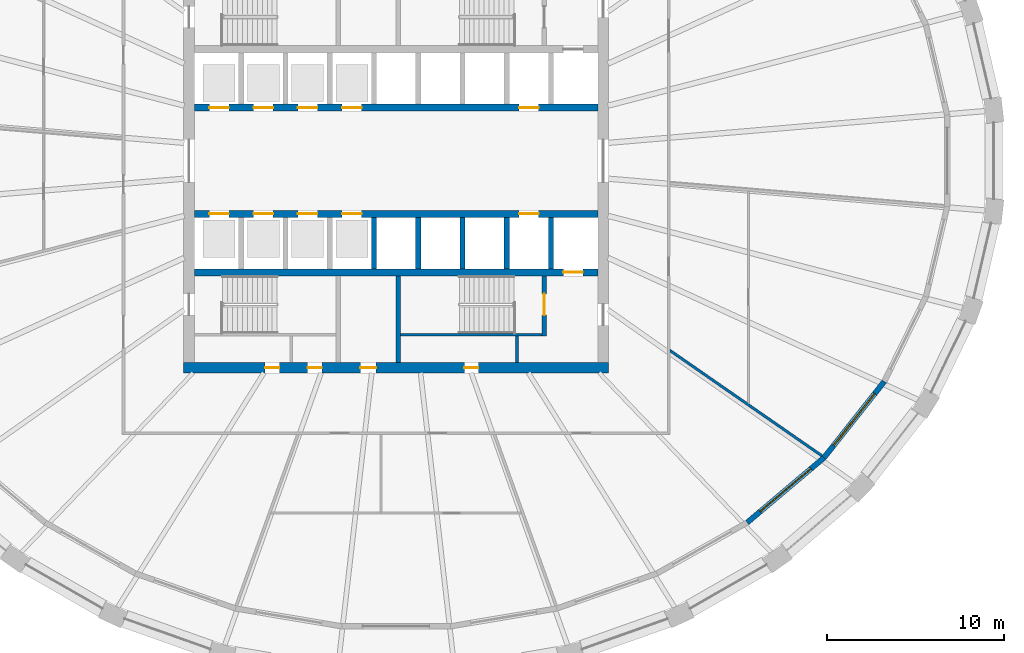
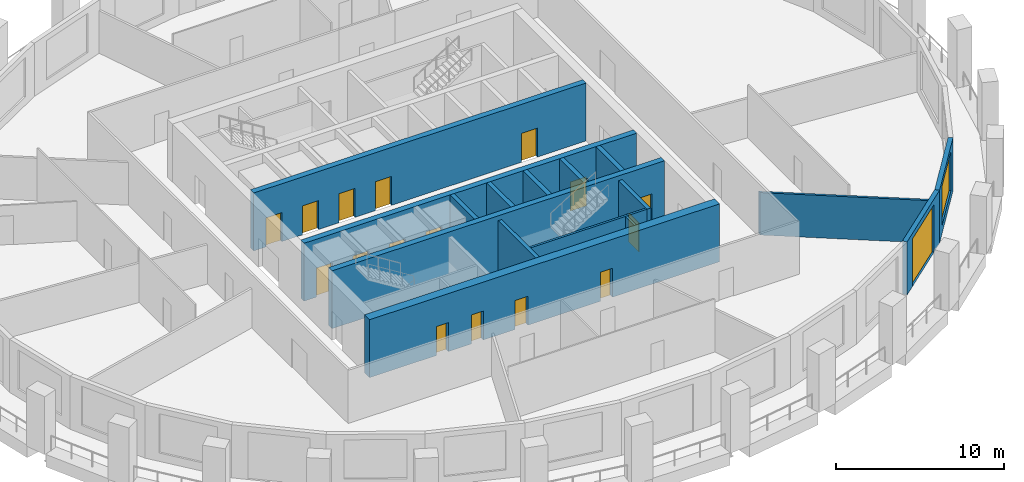
# One storey, part 4 of 10: 17 doors, 16 walls, 1 window, 18 openings.
"""IFC4 building model written with IfcOpenShell, lengths in metres."""

from ifc_helpers import new_model, si_unit, direction, frame, frame_2d, origin, place, context, subcontext, project, spatial, polyline, rectangle, outline, extrude, material, layer, layer_set, type_object, element, fill, save


model = new_model("IFC4")

# Units and contexts
model_context = context("Model", 3, precision=1e-05, world=origin(), true_north=direction((0.0, 1.0)))
body_context = subcontext(model_context, "Body", "Model", "MODEL_VIEW")
ifc_project = project(units=[si_unit("LENGTHUNIT", "METRE"), si_unit("AREAUNIT", "SQUARE_METRE"), si_unit("VOLUMEUNIT", "CUBIC_METRE"), si_unit("PLANEANGLEUNIT", "RADIAN"), si_unit("MASSUNIT", "GRAM", prefix="KILO")], contexts=[model_context])

# Site, building, storey
site_placement = place(None, origin())
site = spatial("IfcSite", under=ifc_project, at=site_placement, CompositionType="ELEMENT")
building_placement = place(site_placement, origin())
building = spatial("IfcBuilding", under=site, at=building_placement, Name="Halqa Exchange Tower", CompositionType="ELEMENT")
storey_placement = place(building_placement, frame((0.0, 0.0, 163.300048828125)))
storey = spatial("IfcBuildingStorey", under=building, at=storey_placement, Name="L37", CompositionType="ELEMENT", Elevation=163.300048828125)

# Walls
ifc_material_1 = material(Name="Fire-rated gypsum board")
ifc_layer_1 = layer(ifc_material_1, 0.14990234375)
ifc_layer_set_1 = layer_set([ifc_layer_1], Name="Fire-rated gypsum board")
wall_type_1 = type_object("IfcWallType", Name="Fire partition EI 60 150", PredefinedType="PARTITIONING", material=ifc_layer_set_1)
wall_1_placement = place(storey_placement, frame((15.4326171875, -10.6923828125, 0.0), z_axis=(0.0, 0.0, 1.0), x_axis=(0.821818585553, -0.569749254006, 0.0)))
element("IfcWall", 1, at=wall_1_placement, inside=storey, type_object=wall_type_1, Name="L37-PWL-023", PredefinedType="PARTITIONING", context=body_context, shape_type="SweptSolid", body=[
    extrude(outline(polyline([(0.103515625, -0.074951171875), (1.83154296875, -0.074951171875), (3.5595703125, -0.074951171875), (5.28759765625, -0.074951171875), (7.015625, -0.074951171875), (8.743896484375, -0.074951171875), (10.471923828125, -0.074951171875), (10.49267578125, 0.002197265625), (10.4970703125, 0.071533203125), (10.4970703125, 0.074951171875), (8.773193359375, 0.074951171875), (7.04931640625, 0.074951171875), (5.325439453125, 0.074951171875), (5.323974609375, 0.07373046875), (5.3232421875, 0.074951171875), (3.548828125, 0.074951171875), (1.7744140625, 0.074951171875), (0.0, 0.074951171875), (0.0, 0.074462890625), (0.103515625, -0.074951171875)])), origin(), (0.0, 0.0, 1.0), 3.079833984375),
])
ifc_material_2 = material(Name="Gypsum board")
ifc_layer_2 = layer(ifc_material_2, 0.14990234375)
ifc_layer_set_2 = layer_set([ifc_layer_2], Name="Gypsum board")
wall_type_2 = type_object("IfcWallType", Name="Penthouse riser wall 150 gypsum", PredefinedType="PARTITIONING", material=ifc_layer_set_2)
wall_2_placement = place(storey_placement, frame((6.824951171875, -11.39990234375, 0.0), z_axis=(0.0, 0.0, 1.0), x_axis=(0.0, 1.0, 0.0)))
element("IfcWall", 2, at=wall_2_placement, inside=storey, type_object=wall_type_2, Name="Firefighting lobby west wall S", PredefinedType="PARTITIONING", context=body_context, shape_type="SweptSolid", body=[
    extrude(rectangle(XDim=1.5, YDim=0.14990234375, at=frame_2d((0.75, 0.0))), origin(), (0.0, 0.0, 1.0), 3.849853515625),
])
ifc_material_3 = material(Name="Concrete C60/75", Category="concrete")
ifc_layer_3 = layer(ifc_material_3, 0.300048828125)
ifc_layer_set_3 = layer_set([ifc_layer_3], Name="Concrete C60/75")
wall_type_3 = type_object("IfcWallType", Name="RC core wall 300", PredefinedType="SHEAR", material=ifc_layer_set_3)
for number, where, z_axis, x_axis, name in (
    (3, (-1.25, -6.10009765625, 0.0), (0.0, 0.0, 1.0), (0.0, 1.0, 0.0), "Shaft divider S4"),
    (4, (1.25, -6.10009765625, 0.0), (0.0, 0.0, 1.0), (0.0, 1.0, 0.0), "Shaft divider S5"),
    (5, (3.75, -6.10009765625, 0.0), (0.0, 0.0, 1.0), (0.0, 1.0, 0.0), "Shaft divider S6"),
    (6, (6.25, -6.10009765625, 0.0), (0.0, 0.0, 1.0), (0.0, 1.0, 0.0), "Shaft divider S7"),
    (7, (8.75, -6.10009765625, 0.0), (0.0, 0.0, 1.0), (0.0, 1.0, 0.0), "Shaft divider S8"),
):
    element("IfcWall", number, at=place(storey_placement, frame(where, z_axis=z_axis, x_axis=x_axis)), inside=storey, type_object=wall_type_3, Name=name, PredefinedType="SHEAR", context=body_context, shape_type="SweptSolid", body=[
        extrude(rectangle(XDim=2.900146484375, YDim=0.300048828125, at=frame_2d((1.4501953125, 0.0))), origin(), (0.0, 0.0, 1.0), 4.199951171875),
    ])

# Wall, openings, doors
ifc_material_4 = material(Name="Concrete C70/85", Category="concrete")
ifc_layer_4 = layer(ifc_material_4, 0.39990234375)
ifc_layer_set_4 = layer_set([ifc_layer_4], Name="Concrete C70/85")
wall_type_4 = type_object("IfcWallType", Name="RC core wall 400 C70/85", PredefinedType="SHEAR", material=ifc_layer_set_4)
wall_3_placement = place(storey_placement, frame((-11.39990234375, 3.0, 0.0), z_axis=(0.0, 0.0, 1.0), x_axis=(1.0, 0.0, 0.0)))
wall_3 = element("IfcWall", 8, at=wall_3_placement, inside=storey, type_object=wall_type_4, Name="Lift row front wall N", PredefinedType="SHEAR", context=body_context, shape_type="SweptSolid", body=[
    extrude(rectangle(XDim=22.7998046875, YDim=0.39990234375, at=frame_2d((11.39990234375, 0.0))), origin(), (0.0, 0.0, 1.0), 4.199951171875),
])
opening_1_placement = place(wall_3_placement, frame((0.85009765625, 0.0, 0.0)))
opening_1 = element("IfcOpeningElement", 9, at=opening_1_placement, cuts=wall_3, Name="Opening LD-LR1-T11", PredefinedType="OPENING", context=body_context, shape_type="SweptSolid", body=[
    extrude(rectangle(XDim=1.10009765625, YDim=2.10009765625, at=frame_2d((0.550048828125, 1.050048828125))), frame((0.0, 0.2119140625, 0.0), z_axis=(0.0, -1.0, 0.0), x_axis=(1.0, 0.0, 0.0)), (0.0, 0.0, 1.0), 0.423828125),
])
opening_2_placement = place(wall_3_placement, frame((3.35009765625, 0.0, 0.0)))
opening_2 = element("IfcOpeningElement", 10, at=opening_2_placement, cuts=wall_3, Name="Opening LD-LR2-T11", PredefinedType="OPENING", context=body_context, shape_type="SweptSolid", body=[
    extrude(rectangle(XDim=1.10009765625, YDim=2.10009765625, at=frame_2d((0.550048828125, 1.050048828125))), frame((0.0, 0.2119140625, 0.0), z_axis=(0.0, -1.0, 0.0), x_axis=(1.0, 0.0, 0.0)), (0.0, 0.0, 1.0), 0.423828125),
])
opening_3_placement = place(wall_3_placement, frame((5.85009765625, 0.0, 0.0)))
opening_3 = element("IfcOpeningElement", 11, at=opening_3_placement, cuts=wall_3, Name="Opening LD-LR3-T11", PredefinedType="OPENING", context=body_context, shape_type="SweptSolid", body=[
    extrude(rectangle(XDim=1.10009765625, YDim=2.10009765625, at=frame_2d((0.550048828125, 1.050048828125))), frame((0.0, 0.2119140625, 0.0), z_axis=(0.0, -1.0, 0.0), x_axis=(1.0, 0.0, 0.0)), (0.0, 0.0, 1.0), 0.423828125),
])
opening_4_placement = place(wall_3_placement, frame((8.35009765625, 0.0, 0.0)))
opening_4 = element("IfcOpeningElement", 12, at=opening_4_placement, cuts=wall_3, Name="Opening LD-LR4-T11", PredefinedType="OPENING", context=body_context, shape_type="SweptSolid", body=[
    extrude(rectangle(XDim=1.10009765625, YDim=2.10009765625, at=frame_2d((0.550048828125, 1.050048828125))), frame((0.0, 0.2119140625, 0.0), z_axis=(0.0, -1.0, 0.0), x_axis=(1.0, 0.0, 0.0)), (0.0, 0.0, 1.0), 0.423828125),
])
opening_5_placement = place(wall_3_placement, frame((18.35009765625, 0.0, 0.0)))
opening_5 = element("IfcOpeningElement", 13, at=opening_5_placement, cuts=wall_3, Name="Opening LD-SV1-T11", PredefinedType="OPENING", context=body_context, shape_type="SweptSolid", body=[
    extrude(rectangle(XDim=1.10009765625, YDim=2.10009765625, at=frame_2d((0.550048828125, 1.050048828125))), frame((0.0, 0.2119140625, 0.0), z_axis=(0.0, -1.0, 0.0), x_axis=(1.0, 0.0, 0.0)), (0.0, 0.0, 1.0), 0.423828125),
])
ifc_material_5 = material(Name="Stainless steel", Category="steel")
door_type_1 = type_object("IfcDoorType", Name="Lift landing door 1100 x 2100", OperationType="SLIDING_TO_LEFT", PredefinedType="DOOR", material=ifc_material_5)
door_1_placement = place(opening_1_placement, origin())
door_1 = element("IfcDoor", 14, at=door_1_placement, inside=storey, type_object=door_type_1, Name="Lift landing door LR1", OperationType="SLIDING_TO_LEFT", OverallHeight=2.10009765625, OverallWidth=1.10009765625, PredefinedType="DOOR", context=body_context, shape_type="SweptSolid", body=[
    extrude(rectangle(XDim=1.10009765625, YDim=2.10009765625, at=frame_2d((0.550048828125, 1.050048828125))), frame((0.0, 0.02490234375, 0.0), z_axis=(0.0, -1.0, 0.0), x_axis=(1.0, 0.0, 0.0)), (0.0, 0.0, 1.0), 0.050048828125),
])
fill(opening_1, door_1)
door_2_placement = place(opening_2_placement, origin())
door_2 = element("IfcDoor", 15, at=door_2_placement, inside=storey, type_object=door_type_1, Name="Lift landing door LR2", OperationType="SLIDING_TO_LEFT", OverallHeight=2.10009765625, OverallWidth=1.10009765625, PredefinedType="DOOR", context=body_context, shape_type="SweptSolid", body=[
    extrude(rectangle(XDim=1.10009765625, YDim=2.10009765625, at=frame_2d((0.550048828125, 1.050048828125))), frame((0.0, 0.02490234375, 0.0), z_axis=(0.0, -1.0, 0.0), x_axis=(1.0, 0.0, 0.0)), (0.0, 0.0, 1.0), 0.050048828125),
])
fill(opening_2, door_2)
door_3_placement = place(opening_3_placement, origin())
door_3 = element("IfcDoor", 16, at=door_3_placement, inside=storey, type_object=door_type_1, Name="Lift landing door LR3", OperationType="SLIDING_TO_LEFT", OverallHeight=2.10009765625, OverallWidth=1.10009765625, PredefinedType="DOOR", context=body_context, shape_type="SweptSolid", body=[
    extrude(rectangle(XDim=1.10009765625, YDim=2.10009765625, at=frame_2d((0.550048828125, 1.050048828125))), frame((0.0, 0.02490234375, 0.0), z_axis=(0.0, -1.0, 0.0), x_axis=(1.0, 0.0, 0.0)), (0.0, 0.0, 1.0), 0.050048828125),
])
fill(opening_3, door_3)
door_4_placement = place(opening_4_placement, origin())
door_4 = element("IfcDoor", 17, at=door_4_placement, inside=storey, type_object=door_type_1, Name="Lift landing door LR4", OperationType="SLIDING_TO_LEFT", OverallHeight=2.10009765625, OverallWidth=1.10009765625, PredefinedType="DOOR", context=body_context, shape_type="SweptSolid", body=[
    extrude(rectangle(XDim=1.10009765625, YDim=2.10009765625, at=frame_2d((0.550048828125, 1.050048828125))), frame((0.0, 0.02490234375, 0.0), z_axis=(0.0, -1.0, 0.0), x_axis=(1.0, 0.0, 0.0)), (0.0, 0.0, 1.0), 0.050048828125),
])
fill(opening_4, door_4)
door_5_placement = place(opening_5_placement, origin())
door_5 = element("IfcDoor", 18, at=door_5_placement, inside=storey, type_object=door_type_1, Name="Lift landing door SV1", OperationType="SLIDING_TO_LEFT", OverallHeight=2.10009765625, OverallWidth=1.10009765625, PredefinedType="DOOR", context=body_context, shape_type="SweptSolid", body=[
    extrude(rectangle(XDim=1.10009765625, YDim=2.10009765625, at=frame_2d((0.550048828125, 1.050048828125))), frame((0.0, 0.02490234375, 0.0), z_axis=(0.0, -1.0, 0.0), x_axis=(1.0, 0.0, 0.0)), (0.0, 0.0, 1.0), 0.050048828125),
])
fill(opening_5, door_5)

wall_4_placement = place(storey_placement, frame((-11.39990234375, -3.0, 0.0), z_axis=(0.0, 0.0, 1.0), x_axis=(1.0, 0.0, 0.0)))
wall_4 = element("IfcWall", 19, at=wall_4_placement, inside=storey, type_object=wall_type_4, Name="Lift row front wall S", PredefinedType="SHEAR", context=body_context, shape_type="SweptSolid", body=[
    extrude(rectangle(XDim=22.7998046875, YDim=0.39990234375, at=frame_2d((11.39990234375, 0.0))), origin(), (0.0, 0.0, 1.0), 4.199951171875),
])
opening_6_placement = place(wall_4_placement, frame((0.85009765625, 0.0, 0.0)))
opening_6 = element("IfcOpeningElement", 20, at=opening_6_placement, cuts=wall_4, Name="Opening LD-LR5-T11", PredefinedType="OPENING", context=body_context, shape_type="SweptSolid", body=[
    extrude(rectangle(XDim=1.10009765625, YDim=2.10009765625, at=frame_2d((0.550048828125, 1.050048828125))), frame((0.0, 0.2119140625, 0.0), z_axis=(0.0, -1.0, 0.0), x_axis=(1.0, 0.0, 0.0)), (0.0, 0.0, 1.0), 0.423828125),
])
opening_7_placement = place(wall_4_placement, frame((3.35009765625, 0.0, 0.0)))
opening_7 = element("IfcOpeningElement", 21, at=opening_7_placement, cuts=wall_4, Name="Opening LD-LR6-T11", PredefinedType="OPENING", context=body_context, shape_type="SweptSolid", body=[
    extrude(rectangle(XDim=1.10009765625, YDim=2.10009765625, at=frame_2d((0.550048828125, 1.050048828125))), frame((0.0, 0.2119140625, 0.0), z_axis=(0.0, -1.0, 0.0), x_axis=(1.0, 0.0, 0.0)), (0.0, 0.0, 1.0), 0.423828125),
])
opening_8_placement = place(wall_4_placement, frame((5.85009765625, 0.0, 0.0)))
opening_8 = element("IfcOpeningElement", 22, at=opening_8_placement, cuts=wall_4, Name="Opening LD-LR7-T11", PredefinedType="OPENING", context=body_context, shape_type="SweptSolid", body=[
    extrude(rectangle(XDim=1.10009765625, YDim=2.10009765625, at=frame_2d((0.550048828125, 1.050048828125))), frame((0.0, 0.2119140625, 0.0), z_axis=(0.0, -1.0, 0.0), x_axis=(1.0, 0.0, 0.0)), (0.0, 0.0, 1.0), 0.423828125),
])
opening_9_placement = place(wall_4_placement, frame((8.35009765625, 0.0, 0.0)))
opening_9 = element("IfcOpeningElement", 23, at=opening_9_placement, cuts=wall_4, Name="Opening LD-LR8-T11", PredefinedType="OPENING", context=body_context, shape_type="SweptSolid", body=[
    extrude(rectangle(XDim=1.10009765625, YDim=2.10009765625, at=frame_2d((0.550048828125, 1.050048828125))), frame((0.0, 0.2119140625, 0.0), z_axis=(0.0, -1.0, 0.0), x_axis=(1.0, 0.0, 0.0)), (0.0, 0.0, 1.0), 0.423828125),
])
opening_10_placement = place(wall_4_placement, frame((18.35009765625, 0.0, 0.0)))
opening_10 = element("IfcOpeningElement", 24, at=opening_10_placement, cuts=wall_4, Name="Opening LD-SV2-T11", PredefinedType="OPENING", context=body_context, shape_type="SweptSolid", body=[
    extrude(rectangle(XDim=1.10009765625, YDim=2.10009765625, at=frame_2d((0.550048828125, 1.050048828125))), frame((0.0, 0.2119140625, 0.0), z_axis=(0.0, -1.0, 0.0), x_axis=(1.0, 0.0, 0.0)), (0.0, 0.0, 1.0), 0.423828125),
])
door_6_placement = place(opening_6_placement, origin())
door_6 = element("IfcDoor", 25, at=door_6_placement, inside=storey, type_object=door_type_1, Name="Lift landing door LR5", OperationType="SLIDING_TO_LEFT", OverallHeight=2.10009765625, OverallWidth=1.10009765625, PredefinedType="DOOR", context=body_context, shape_type="SweptSolid", body=[
    extrude(rectangle(XDim=1.10009765625, YDim=2.10009765625, at=frame_2d((0.550048828125, 1.050048828125))), frame((0.0, 0.02490234375, 0.0), z_axis=(0.0, -1.0, 0.0), x_axis=(1.0, 0.0, 0.0)), (0.0, 0.0, 1.0), 0.050048828125),
])
fill(opening_6, door_6)
door_7_placement = place(opening_7_placement, origin())
door_7 = element("IfcDoor", 26, at=door_7_placement, inside=storey, type_object=door_type_1, Name="Lift landing door LR6", OperationType="SLIDING_TO_LEFT", OverallHeight=2.10009765625, OverallWidth=1.10009765625, PredefinedType="DOOR", context=body_context, shape_type="SweptSolid", body=[
    extrude(rectangle(XDim=1.10009765625, YDim=2.10009765625, at=frame_2d((0.550048828125, 1.050048828125))), frame((0.0, 0.02490234375, 0.0), z_axis=(0.0, -1.0, 0.0), x_axis=(1.0, 0.0, 0.0)), (0.0, 0.0, 1.0), 0.050048828125),
])
fill(opening_7, door_7)
door_8_placement = place(opening_8_placement, origin())
door_8 = element("IfcDoor", 27, at=door_8_placement, inside=storey, type_object=door_type_1, Name="Lift landing door LR7", OperationType="SLIDING_TO_LEFT", OverallHeight=2.10009765625, OverallWidth=1.10009765625, PredefinedType="DOOR", context=body_context, shape_type="SweptSolid", body=[
    extrude(rectangle(XDim=1.10009765625, YDim=2.10009765625, at=frame_2d((0.550048828125, 1.050048828125))), frame((0.0, 0.02490234375, 0.0), z_axis=(0.0, -1.0, 0.0), x_axis=(1.0, 0.0, 0.0)), (0.0, 0.0, 1.0), 0.050048828125),
])
fill(opening_8, door_8)
door_9_placement = place(opening_9_placement, origin())
door_9 = element("IfcDoor", 28, at=door_9_placement, inside=storey, type_object=door_type_1, Name="Lift landing door LR8", OperationType="SLIDING_TO_LEFT", OverallHeight=2.10009765625, OverallWidth=1.10009765625, PredefinedType="DOOR", context=body_context, shape_type="SweptSolid", body=[
    extrude(rectangle(XDim=1.10009765625, YDim=2.10009765625, at=frame_2d((0.550048828125, 1.050048828125))), frame((0.0, 0.02490234375, 0.0), z_axis=(0.0, -1.0, 0.0), x_axis=(1.0, 0.0, 0.0)), (0.0, 0.0, 1.0), 0.050048828125),
])
fill(opening_9, door_9)
door_10_placement = place(opening_10_placement, origin())
door_10 = element("IfcDoor", 29, at=door_10_placement, inside=storey, type_object=door_type_1, Name="Lift landing door SV2", OperationType="SLIDING_TO_LEFT", OverallHeight=2.10009765625, OverallWidth=1.10009765625, PredefinedType="DOOR", context=body_context, shape_type="SweptSolid", body=[
    extrude(rectangle(XDim=1.10009765625, YDim=2.10009765625, at=frame_2d((0.550048828125, 1.050048828125))), frame((0.0, 0.02490234375, 0.0), z_axis=(0.0, -1.0, 0.0), x_axis=(1.0, 0.0, 0.0)), (0.0, 0.0, 1.0), 0.050048828125),
])
fill(opening_10, door_10)

# Wall, opening, door
wall_5_placement = place(storey_placement, frame((-11.39990234375, -6.300048828125, 0.0), z_axis=(0.0, 0.0, 1.0), x_axis=(1.0, 0.0, 0.0)))
wall_5 = element("IfcWall", 30, at=wall_5_placement, inside=storey, type_object=wall_type_4, Name="Lift row back wall S", PredefinedType="SHEAR", context=body_context, shape_type="SweptSolid", body=[
    extrude(rectangle(XDim=22.7998046875, YDim=0.39990234375, at=frame_2d((11.39990234375, 0.0))), origin(), (0.0, 0.0, 1.0), 4.199951171875),
])
opening_11_placement = place(wall_5_placement, frame((20.85009765625, 0.0, 0.0)))
opening_11 = element("IfcOpeningElement", 31, at=opening_11_placement, cuts=wall_5, Name="Opening LD-FF2-T11", PredefinedType="OPENING", context=body_context, shape_type="SweptSolid", body=[
    extrude(rectangle(XDim=1.10009765625, YDim=2.10009765625, at=frame_2d((0.550048828125, 1.050048828125))), frame((0.0, 0.2119140625, 0.0), z_axis=(0.0, -1.0, 0.0), x_axis=(1.0, 0.0, 0.0)), (0.0, 0.0, 1.0), 0.423828125),
])
door_11_placement = place(opening_11_placement, origin())
door_11 = element("IfcDoor", 32, at=door_11_placement, inside=storey, type_object=door_type_1, Name="Lift landing door FF2", OperationType="SLIDING_TO_LEFT", OverallHeight=2.10009765625, OverallWidth=1.10009765625, PredefinedType="DOOR", context=body_context, shape_type="SweptSolid", body=[
    extrude(rectangle(XDim=1.10009765625, YDim=2.10009765625, at=frame_2d((0.550048828125, 1.050048828125))), frame((0.0, 0.02490234375, 0.0), z_axis=(0.0, -1.0, 0.0), x_axis=(1.0, 0.0, 0.0)), (0.0, 0.0, 1.0), 0.050048828125),
])
fill(opening_11, door_11)

# Wall, openings, doors
ifc_layer_5 = layer(ifc_material_4, 0.60009765625)
ifc_layer_set_5 = layer_set([ifc_layer_5], Name="Concrete C70/85")
wall_type_5 = type_object("IfcWallType", Name="RC core wall 600 C70/85", PredefinedType="SHEAR", material=ifc_layer_set_5)
wall_6_placement = place(storey_placement, frame((-12.0, -11.699951171875, 0.0), z_axis=(0.0, 0.0, 1.0), x_axis=(1.0, 0.0, 0.0)))
wall_6 = element("IfcWall", 33, at=wall_6_placement, inside=storey, type_object=wall_type_5, Name="Core wall south", PredefinedType="SHEAR", context=body_context, shape_type="SweptSolid", body=[
    extrude(rectangle(XDim=24.0, YDim=0.60009765625, at=frame_2d((12.0, 0.0))), origin(), (0.0, 0.0, 1.0), 4.199951171875),
])
opening_12_placement = place(wall_6_placement, frame((9.97509765625, 0.0, 0.0)))
opening_12 = element("IfcOpeningElement", 34, at=opening_12_placement, cuts=wall_6, Name="Opening T11-C25", PredefinedType="OPENING", context=body_context, shape_type="SweptSolid", body=[
    extrude(rectangle(XDim=0.89990234375, YDim=2.10009765625, at=frame_2d((0.449951171875, 1.050048828125))), frame((0.0, 0.31201171875, 0.0), z_axis=(0.0, -1.0, 0.0), x_axis=(1.0, 0.0, 0.0)), (0.0, 0.0, 1.0), 0.6240234375),
])
opening_13_placement = place(wall_6_placement, frame((4.60009765625, 0.0, 0.0)))
opening_13 = element("IfcOpeningElement", 35, at=opening_13_placement, cuts=wall_6, Name="Opening T11-C26", PredefinedType="OPENING", context=body_context, shape_type="SweptSolid", body=[
    extrude(rectangle(XDim=0.800048828125, YDim=2.10009765625, at=frame_2d((0.39990234375, 1.050048828125))), frame((0.0, 0.31201171875, 0.0), z_axis=(0.0, -1.0, 0.0), x_axis=(1.0, 0.0, 0.0)), (0.0, 0.0, 1.0), 0.6240234375),
])
opening_14_placement = place(wall_6_placement, frame((7.0, 0.0, 0.0)))
opening_14 = element("IfcOpeningElement", 36, at=opening_14_placement, cuts=wall_6, Name="Opening T11-C27", PredefinedType="OPENING", context=body_context, shape_type="SweptSolid", body=[
    extrude(rectangle(XDim=0.800048828125, YDim=2.10009765625, at=frame_2d((0.39990234375, 1.050048828125))), frame((0.0, 0.31201171875, 0.0), z_axis=(0.0, -1.0, 0.0), x_axis=(1.0, 0.0, 0.0)), (0.0, 0.0, 1.0), 0.6240234375),
])
opening_15_placement = place(wall_6_placement, frame((15.85009765625, 0.0, 0.0)))
opening_15 = element("IfcOpeningElement", 37, at=opening_15_placement, cuts=wall_6, Name="Opening T11-C28", PredefinedType="OPENING", context=body_context, shape_type="SweptSolid", body=[
    extrude(rectangle(XDim=0.800048828125, YDim=2.10009765625, at=frame_2d((0.39990234375, 1.050048828125))), frame((0.0, 0.31201171875, 0.0), z_axis=(0.0, -1.0, 0.0), x_axis=(1.0, 0.0, 0.0)), (0.0, 0.0, 1.0), 0.6240234375),
])
ifc_material_6 = material(Name="Timber fire door leaf", Category="wood")
door_type_2 = type_object("IfcDoorType", Name="Core room door FD30 900 x 2100", OperationType="SINGLE_SWING_LEFT", PredefinedType="DOOR", material=ifc_material_6)
door_12_placement = place(opening_12_placement, origin())
door_12 = element("IfcDoor", 38, at=door_12_placement, inside=storey, type_object=door_type_2, Name="Core room door", OperationType="SINGLE_SWING_RIGHT", OverallHeight=2.10009765625, OverallWidth=0.89990234375, PredefinedType="DOOR", context=body_context, shape_type="SweptSolid", body=[
    extrude(rectangle(XDim=0.89990234375, YDim=2.10009765625, at=frame_2d((0.449951171875, 1.050048828125))), frame((0.0, 0.02490234375, 0.0), z_axis=(0.0, -1.0, 0.0), x_axis=(1.0, 0.0, 0.0)), (0.0, 0.0, 1.0), 0.050048828125),
])
fill(opening_12, door_12)
ifc_material_7 = material(Name="Steel fire door leaf", Category="steel")
door_type_3 = type_object("IfcDoorType", Name="Riser door FD60 800 x 2100", OperationType="SINGLE_SWING_LEFT", PredefinedType="DOOR", material=ifc_material_7)
door_13_placement = place(opening_13_placement, origin())
door_13 = element("IfcDoor", 39, at=door_13_placement, inside=storey, type_object=door_type_3, Name="Core room door", OperationType="SINGLE_SWING_LEFT", OverallHeight=2.10009765625, OverallWidth=0.800048828125, PredefinedType="DOOR", context=body_context, shape_type="SweptSolid", body=[
    extrude(rectangle(XDim=0.800048828125, YDim=2.10009765625, at=frame_2d((0.39990234375, 1.050048828125))), frame((0.0, 0.02490234375, 0.0), z_axis=(0.0, -1.0, 0.0), x_axis=(1.0, 0.0, 0.0)), (0.0, 0.0, 1.0), 0.050048828125),
])
fill(opening_13, door_13)
door_14_placement = place(opening_14_placement, origin())
door_14 = element("IfcDoor", 40, at=door_14_placement, inside=storey, type_object=door_type_3, Name="Core room door", OperationType="SINGLE_SWING_RIGHT", OverallHeight=2.10009765625, OverallWidth=0.800048828125, PredefinedType="DOOR", context=body_context, shape_type="SweptSolid", body=[
    extrude(rectangle(XDim=0.800048828125, YDim=2.10009765625, at=frame_2d((0.39990234375, 1.050048828125))), frame((0.0, 0.02490234375, 0.0), z_axis=(0.0, -1.0, 0.0), x_axis=(1.0, 0.0, 0.0)), (0.0, 0.0, 1.0), 0.050048828125),
])
fill(opening_14, door_14)
door_15_placement = place(opening_15_placement, origin())
door_15 = element("IfcDoor", 41, at=door_15_placement, inside=storey, type_object=door_type_3, Name="Core room door", OperationType="SINGLE_SWING_LEFT", OverallHeight=2.10009765625, OverallWidth=0.800048828125, PredefinedType="DOOR", context=body_context, shape_type="SweptSolid", body=[
    extrude(rectangle(XDim=0.800048828125, YDim=2.10009765625, at=frame_2d((0.39990234375, 1.050048828125))), frame((0.0, 0.02490234375, 0.0), z_axis=(0.0, -1.0, 0.0), x_axis=(1.0, 0.0, 0.0)), (0.0, 0.0, 1.0), 0.050048828125),
])
fill(opening_15, door_15)

# Walls
ifc_material_8 = material(Name="Concrete C30/37", Category="concrete")
ifc_layer_6 = layer(ifc_material_8, 0.14990234375)
ifc_layer_set_6 = layer_set([ifc_layer_6], Name="Concrete C30/37")
wall_type_6 = type_object("IfcWallType", Name="RC stair wall 150 C30/37", PredefinedType="SHEAR", material=ifc_layer_set_6)
wall_7_placement = place(storey_placement, frame((0.25, -9.824951171875, 0.0), z_axis=(0.0, 0.0, 1.0), x_axis=(1.0, 0.0, 0.0)))
element("IfcWall", 42, at=wall_7_placement, inside=storey, type_object=wall_type_6, Name="Stair ST2 north wall S", PredefinedType="SHEAR", context=body_context, shape_type="SweptSolid", body=[
    extrude(rectangle(XDim=8.0, YDim=0.14990234375, at=frame_2d((4.0, 0.0))), origin(), (0.0, 0.0, 1.0), 3.849853515625),
])
ifc_layer_7 = layer(ifc_material_8, 0.25)
ifc_layer_set_7 = layer_set([ifc_layer_7], Name="Concrete C30/37")
wall_type_7 = type_object("IfcWallType", Name="RC stair wall 250 C30/37", PredefinedType="SHEAR", material=ifc_layer_set_7)
wall_8_placement = place(storey_placement, frame((0.125, -11.39990234375, 0.0), z_axis=(0.0, 0.0, 1.0), x_axis=(0.0, 1.0, 0.0)))
element("IfcWall", 43, at=wall_8_placement, inside=storey, type_object=wall_type_7, Name="Stair ST2 west wall S", PredefinedType="SHEAR", context=body_context, shape_type="SweptSolid", body=[
    extrude(rectangle(XDim=4.89990234375, YDim=0.25, at=frame_2d((2.449951171875, 0.0))), origin(), (0.0, 0.0, 1.0), 3.849853515625),
])

# Wall, opening, door
wall_9_placement = place(storey_placement, frame((8.375, -9.89990234375, 0.0), z_axis=(0.0, 0.0, 1.0), x_axis=(0.0, 1.0, 0.0)))
wall_9 = element("IfcWall", 44, at=wall_9_placement, inside=storey, type_object=wall_type_7, Name="Stair ST2 east wall S", PredefinedType="SHEAR", context=body_context, shape_type="SweptSolid", body=[
    extrude(rectangle(XDim=3.39990234375, YDim=0.25, at=frame_2d((1.699951171875, 0.0))), origin(), (0.0, 0.0, 1.0), 3.849853515625),
])
opening_16_placement = place(wall_9_placement, frame((1.175048828125, 0.0, 0.0)))
opening_16 = element("IfcOpeningElement", 45, at=opening_16_placement, cuts=wall_9, Name="Opening T11-C18", PredefinedType="OPENING", context=body_context, shape_type="SweptSolid", body=[
    extrude(rectangle(XDim=1.199951171875, YDim=2.10009765625, at=frame_2d((0.60009765625, 1.050048828125))), frame((0.0, 0.136962890625, 0.0), z_axis=(0.0, -1.0, 0.0), x_axis=(1.0, 0.0, 0.0)), (0.0, 0.0, 1.0), 0.27392578125),
])
door_type_4 = type_object("IfcDoorType", Name="Stair door FD90 1200 x 2100", OperationType="SINGLE_SWING_LEFT", PredefinedType="DOOR", material=ifc_material_7)
door_16_placement = place(opening_16_placement, origin())
door_16 = element("IfcDoor", 46, at=door_16_placement, inside=storey, type_object=door_type_4, Name="Stair door ST4", OperationType="SINGLE_SWING_RIGHT", OverallHeight=2.10009765625, OverallWidth=1.199951171875, PredefinedType="DOOR", context=body_context, shape_type="SweptSolid", body=[
    extrude(rectangle(XDim=1.199951171875, YDim=2.10009765625, at=frame_2d((0.60009765625, 1.050048828125))), frame((0.0, 0.02490234375, 0.0), z_axis=(0.0, -1.0, 0.0), x_axis=(1.0, 0.0, 0.0)), (0.0, 0.0, 1.0), 0.050048828125),
])
fill(opening_16, door_16)

ifc_material_9 = material(Name="Limestone cladding", Category="masonry")
ifc_layer_8 = layer(ifc_material_9, 0.0400390625)
ifc_material_10 = material(Name="Ventilated cavity")
ifc_layer_9 = layer(ifc_material_10, 0.030029296875, ventilated=True)
ifc_material_11 = material(Name="Mineral wool insulation")
ifc_layer_10 = layer(ifc_material_11, 0.10009765625)
ifc_layer_11 = layer(ifc_material_8, 0.10009765625)
ifc_material_12 = material(Name="Internal plaster")
ifc_layer_12 = layer(ifc_material_12, 0.030029296875)
ifc_layer_set_8 = layer_set([ifc_layer_8, ifc_layer_9, ifc_layer_10, ifc_layer_11, ifc_layer_12], Name="Stone-faced insulated wall 300")
wall_type_8 = type_object("IfcWallType", Name="Stone-faced insulated wall 300", PredefinedType="STANDARD", material=ifc_layer_set_8)
wall_10_placement = place(storey_placement, frame((19.8291015625, -20.434814453125, 0.0), z_axis=(0.0, 0.0, 1.0), x_axis=(0.764076096085, 0.645126126732, 0.0)))
wall_10 = element("IfcWall", 47, at=wall_10_placement, inside=storey, type_object=wall_type_8, Name="Glass-line wall 28", PredefinedType="STANDARD", context=body_context, shape_type="SweptSolid", body=[
    extrude(outline(polyline([(-0.01416015625, -0.14990234375), (5.690185546875, -0.14990234375), (5.659912109375, 0.14990234375), (0.01416015625, 0.14990234375), (-0.01416015625, -0.14990234375)])), origin(), (0.0, 0.0, 1.0), 3.849853515625),
])
opening_17_placement = place(wall_10_placement, frame((0.96240234375, 0.0, 0.0)))
opening_17 = element("IfcOpeningElement", 48, at=opening_17_placement, cuts=wall_10, Name="Opening LG-F2-07", PredefinedType="OPENING", context=body_context, shape_type="SweptSolid", body=[
    extrude(rectangle(XDim=3.75, YDim=3.449951171875, at=frame_2d((1.875, 1.72509765625))), frame((0.0, 0.162109375, 0.0), z_axis=(0.0, -1.0, 0.0), x_axis=(1.0, 0.0, 0.0)), (0.0, 0.0, 1.0), 0.323974609375),
])
ifc_material_13 = material(Name="Clear low-emissivity glass in aluminium frame", Category="aluminium")
door_type_5 = type_object("IfcDoorType", Name="Glazed sliding loggia door 3750 x 3450", OperationType="DOUBLE_DOOR_SLIDING", PredefinedType="DOOR", material=ifc_material_13)
door_17_placement = place(opening_17_placement, origin())
door_17 = element("IfcDoor", 49, at=door_17_placement, inside=storey, type_object=door_type_5, Name="Loggia door 7", OperationType="DOUBLE_DOOR_SLIDING", OverallHeight=3.449951171875, OverallWidth=3.75, PredefinedType="DOOR", context=body_context, shape_type="SweptSolid", body=[
    extrude(rectangle(XDim=3.75, YDim=3.449951171875, at=frame_2d((1.875, 1.72509765625))), frame((0.0, 0.02490234375, 0.0), z_axis=(0.0, -1.0, 0.0), x_axis=(1.0, 0.0, 0.0)), (0.0, 0.0, 1.0), 0.050048828125),
])
fill(opening_17, door_17)

# Wall, opening, window
wall_11_placement = place(storey_placement, frame((24.165283203125, -16.773681640625, 0.0), z_axis=(0.0, 0.0, 1.0), x_axis=(0.620577705153, 0.784144955902, 0.0)))
wall_11 = element("IfcWall", 50, at=wall_11_placement, inside=storey, type_object=wall_type_8, Name="Glass-line wall 29", PredefinedType="STANDARD", context=body_context, shape_type="SweptSolid", body=[
    extrude(outline(polyline([(-0.01513671875, -0.14990234375), (5.5087890625, -0.14990234375), (5.4765625, 0.14990234375), (0.01513671875, 0.14990234375), (-0.01513671875, -0.14990234375)])), origin(), (0.0, 0.0, 1.0), 3.849853515625),
])
opening_18_placement = place(wall_11_placement, frame((0.871337890625, 0.0, 0.60009765625)))
opening_18 = element("IfcOpeningElement", 51, at=opening_18_placement, cuts=wall_11, Name="Opening W-F2-29", PredefinedType="OPENING", context=body_context, shape_type="SweptSolid", body=[
    extrude(rectangle(XDim=3.75, YDim=2.85009765625, at=frame_2d((1.875, 1.425048828125))), frame((0.0, 0.162109375, 0.0), z_axis=(0.0, -1.0, 0.0), x_axis=(1.0, 0.0, 0.0)), (0.0, 0.0, 1.0), 0.323974609375),
])
window_type = type_object("IfcWindowType", Name="Fixed clear glazed window 3750 x 2850", PartitioningType="TRIPLE_PANEL_VERTICAL", PredefinedType="WINDOW", material=ifc_material_13)
window_placement = place(opening_18_placement, origin())
window = element("IfcWindow", 52, at=window_placement, inside=storey, type_object=window_type, Name="Window 2", OverallHeight=2.85009765625, OverallWidth=3.75, PartitioningType="TRIPLE_PANEL_VERTICAL", PredefinedType="WINDOW", context=body_context, shape_type="SweptSolid", body=[
    extrude(rectangle(XDim=3.75, YDim=2.85009765625, at=frame_2d((1.875, 1.425048828125))), frame((0.0, 0.030029296875, 0.0), z_axis=(0.0, -1.0, 0.0), x_axis=(1.0, 0.0, 0.0)), (0.0, 0.0, 1.0), 0.06005859375),
])
fill(opening_18, window)

save(model, "model.ifc")
